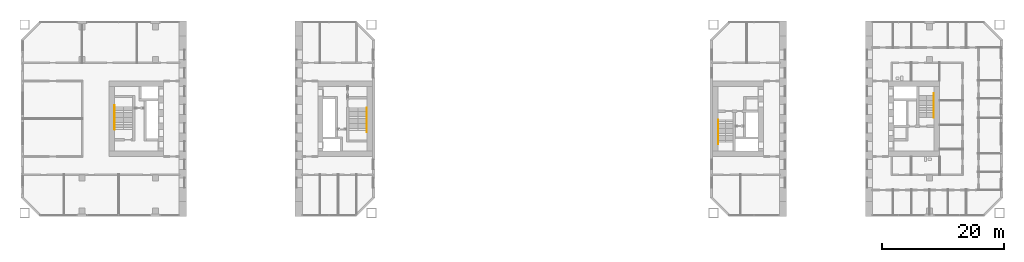
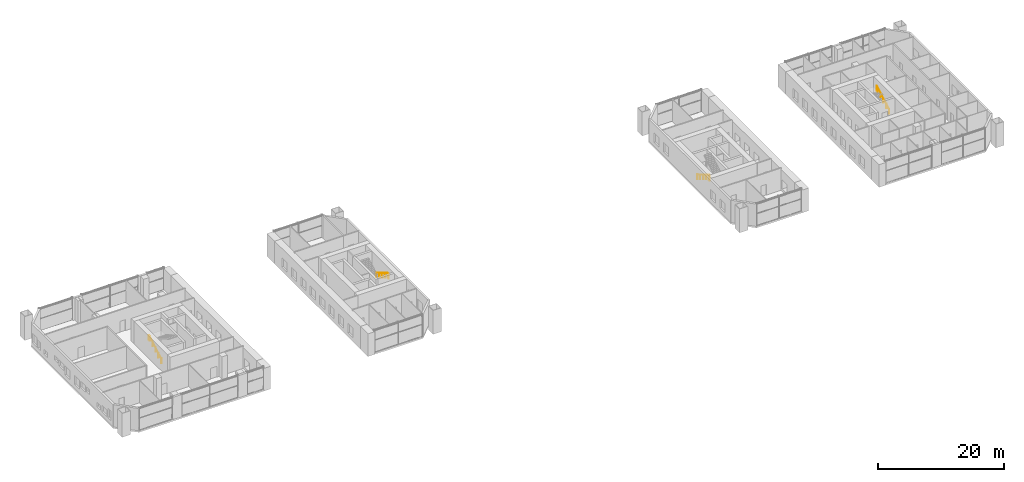
# One storey, part 18 of 19: 4 railings.
"""IFC4 building model written with IfcOpenShell, lengths in metres."""

import ifcopenshell
import ifcopenshell.guid

model = None  # the IFC model being written
_history = None  # IfcOwnerHistory: only IFC2X3 demands one
_inside = {}  # id of a spatial element -> (the spatial element, [elements in it])
_under = {}  # id of a project, library or spatial element -> (it, [spatial elements below it])
_declared = {}  # id of a project -> (the project, [libraries it declares])
_typed = {}  # id of a type object -> (the type object, [elements of that type])
_made_of = {}  # id of a material, layer set ... -> (it, [elements and type objects made of it])


def new_model(schema):
    """Start an empty IFC model of exactly this schema.

    Asked for "IFC4X3", IfcOpenShell would pick the latest addendum, in which some entities
    have other attributes; the version numbers below select the first issue.
    IFC2X3 requires an IfcOwnerHistory on every rooted entity: one is made here for all.
    """
    global model, _history
    if schema == "IFC4X3":
        model = ifcopenshell.file(schema_version=(4, 3, 0, 0))
    else:
        model = ifcopenshell.file(schema=schema)
    _inside.clear()
    _under.clear()
    _declared.clear()
    _typed.clear()
    _made_of.clear()
    _history = None
    if model.schema == "IFC2X3":
        org = make("IfcOrganization", Name="unknown")
        user = make(
            "IfcPersonAndOrganization",
            ThePerson=make("IfcPerson", FamilyName="unknown"),
            TheOrganization=org,
        )
        app = make(
            "IfcApplication",
            ApplicationDeveloper=org,
            Version="unknown",
            ApplicationFullName="unknown",
            ApplicationIdentifier="unknown",
        )
        _history = make(
            "IfcOwnerHistory",
            OwningUser=user,
            OwningApplication=app,
            ChangeAction="ADDED",
            CreationDate=0,
        )
    return model


def make(cls, **values):
    """One entity of the class cls with the attributes given. An attribute that is None is left unset."""
    return model.create_entity(
        cls, **{name: value for name, value in values.items() if value is not None}
    )


def rooted(cls, **values):
    """An entity with a GlobalId (a new one), such as an element, a storey or a relation."""
    return make(cls, GlobalId=ifcopenshell.guid.new(), OwnerHistory=_history, **values)


def si_unit(unit_type, name, prefix=None):
    """IfcSIUnit, for example si_unit("LENGTHUNIT", "METRE", prefix="MILLI")."""
    return make("IfcSIUnit", UnitType=unit_type, Prefix=prefix, Name=name)


def assignment(units):
    """IfcUnitAssignment: the units of a project."""
    return None if units is None else make("IfcUnitAssignment", Units=units)


def point(xyz):
    """IfcCartesianPoint."""
    return None if xyz is None else make("IfcCartesianPoint", Coordinates=xyz)


def direction(xyz):
    """IfcDirection."""
    return None if xyz is None else make("IfcDirection", DirectionRatios=xyz)


def frame(location, z_axis=None, x_axis=None):
    """IfcAxis2Placement3D, a coordinate frame: its origin and axes. An axis left out is left unset."""
    return make(
        "IfcAxis2Placement3D",
        Location=point(location),
        Axis=direction(z_axis),
        RefDirection=direction(x_axis),
    )


def frame_2d(location, x_axis=None):
    """IfcAxis2Placement2D, a coordinate frame in the plane: its origin and x axis."""
    return make(
        "IfcAxis2Placement2D", Location=point(location), RefDirection=direction(x_axis)
    )


def origin():
    """The frame at (0, 0, 0) with its axes left unset."""
    return frame((0.0, 0.0, 0.0))


def origin_2d():
    """The frame at (0, 0) in the plane with its x axis left unset."""
    return frame_2d((0.0, 0.0))


def place(relative_to, where):
    """IfcLocalPlacement: puts the frame where relative to a parent placement (None: the world)."""
    return make(
        "IfcLocalPlacement", PlacementRelTo=relative_to, RelativePlacement=where
    )


def context(
    kind, dimensions, precision=None, world=None, true_north=None, identifier=None
):
    """IfcGeometricRepresentationContext, for example the 3D "Model" context."""
    return make(
        "IfcGeometricRepresentationContext",
        ContextIdentifier=identifier,
        ContextType=kind,
        CoordinateSpaceDimension=dimensions,
        Precision=precision,
        WorldCoordinateSystem=world,
        TrueNorth=true_north,
    )


def subcontext(parent, identifier, kind, view, scale=None):
    """IfcGeometricRepresentationSubContext, for example "Body" below "Model"."""
    return make(
        "IfcGeometricRepresentationSubContext",
        ContextIdentifier=identifier,
        ContextType=kind,
        ParentContext=parent,
        TargetScale=scale,
        TargetView=view,
    )


def project(units=None, contexts=None):
    """IfcProject with its units and contexts."""
    return rooted(
        "IfcProject",
        Name="project",
        RepresentationContexts=contexts,
        UnitsInContext=assignment(units),
    )


def spatial(cls, under=None, at=None, **own):
    """A site, building, storey or space (cls), placed at a placement, below another one or the project."""
    s = rooted(cls, ObjectPlacement=at, **own)
    if under is not None:
        _under.setdefault(under.id(), (under, []))[1].append(s)
    return s


def profile(cls, at=None, kind="AREA", **sizes):
    """A parametric profile (cls). Its sizes go by their IFC names, for example OverallWidth=200.0."""
    return make(cls, ProfileType=kind, Position=at, **sizes)


def circle(**sizes):
    """IfcCircleProfileDef."""
    return profile("IfcCircleProfileDef", **sizes)


def extrude(swept, where, along, depth):
    """IfcExtrudedAreaSolid: the profile swept, set in the frame where, extruded along a direction by depth."""
    return make(
        "IfcExtrudedAreaSolid",
        SweptArea=swept,
        Position=where,
        ExtrudedDirection=direction(along),
        Depth=depth,
    )


def shape(context_of_items, identifier, shape_type, items):
    """IfcShapeRepresentation: the items that make up one representation, for example the "Body"."""
    return make(
        "IfcShapeRepresentation",
        ContextOfItems=context_of_items,
        RepresentationIdentifier=identifier,
        RepresentationType=shape_type,
        Items=items,
    )


def material(Name=None, Category=None):
    """IfcMaterial."""
    return make("IfcMaterial", Name=Name, Category=Category)


def made_of(thing, what):
    """Note that an element or type object is made of a material, layer set ...; save() writes the relation."""
    if what is not None:
        _made_of.setdefault(what.id(), (what, []))[1].append(thing)
    return thing


def type_object(cls, material=None, **own):
    """A type object (cls), such as IfcWallType, which elements share."""
    return made_of(rooted(cls, **own), material)


def element(
    cls,
    number,
    at=None,
    inside=None,
    cuts=None,
    type_object=None,
    material=None,
    context=None,
    identifier="Body",
    shape_type=None,
    held_by="IfcProductDefinitionShape",
    body=None,
    shapes=None,
    **own,
):
    """One element of the class cls, such as IfcWall. Its Tag is "e" and its number.

    at: its placement. inside: the storey or other place that contains it. cuts: it is an
    opening in that element (IfcRelVoidsElement). A single representation is given by context,
    identifier, shape_type and body (its items); several are given by shapes. held_by: the class
    of the entity that holds the representations. save() writes the other relations.
    """
    e = rooted(cls, Tag="e%d" % number, ObjectPlacement=at, **own)
    if body is not None:
        shapes = [shape(context, identifier, shape_type, body)]
    if shapes is not None:
        e.Representation = make(held_by, Representations=shapes)
    if inside is not None:
        _inside.setdefault(inside.id(), (inside, []))[1].append(e)
    if cuts is not None:
        rooted(
            "IfcRelVoidsElement", RelatingBuildingElement=cuts, RelatedOpeningElement=e
        )
    if type_object is not None:
        _typed.setdefault(type_object.id(), (type_object, []))[1].append(e)
    return made_of(e, material)


def aggregate(whole, parts):
    """IfcRelAggregates: a whole, such as a stair, and the parts it consists of."""
    return rooted("IfcRelAggregates", RelatingObject=whole, RelatedObjects=parts)


def save(model, path):
    """Write the relations noted so far, then the file.

    IfcRelAggregates (storeys below a building ...), IfcRelContainedInSpatialStructure (elements
    in a storey), IfcRelDefinesByType, IfcRelAssociatesMaterial and IfcRelDeclares: one each for
    every whole, place, type object, material and project.
    """
    for whole, parts in _under.values():
        aggregate(whole, parts)
    for where, things in _inside.values():
        rooted(
            "IfcRelContainedInSpatialStructure",
            RelatedElements=things,
            RelatingStructure=where,
        )
    for kind, things in _typed.values():
        rooted("IfcRelDefinesByType", RelatedObjects=things, RelatingType=kind)
    for what, things in _made_of.values():
        rooted("IfcRelAssociatesMaterial", RelatedObjects=things, RelatingMaterial=what)
    for by, libraries in _declared.values():
        rooted("IfcRelDeclares", RelatingContext=by, RelatedDefinitions=libraries)
    model.write(path)


model = new_model("IFC4")

# Units and contexts
model_context = context("Model", 3, precision=1e-05, world=origin(), true_north=direction((0.0, 1.0)))
body_context = subcontext(model_context, "Body", "Model", "MODEL_VIEW")
ifc_project = project(units=[si_unit("LENGTHUNIT", "METRE"), si_unit("AREAUNIT", "SQUARE_METRE"), si_unit("VOLUMEUNIT", "CUBIC_METRE"), si_unit("PLANEANGLEUNIT", "RADIAN"), si_unit("MASSUNIT", "GRAM", prefix="KILO")], contexts=[model_context])

# Site, building, storey
site_placement = place(None, origin())
site = spatial("IfcSite", under=ifc_project, at=site_placement, CompositionType="ELEMENT")
building_placement = place(site_placement, origin())
building = spatial("IfcBuilding", under=site, at=building_placement, Name="Tuart Gate Housing", CompositionType="ELEMENT")
storey_placement = place(building_placement, frame((0.0, 0.0, 10.10009765625)))
storey = spatial("IfcBuildingStorey", under=building, at=storey_placement, Name="L02", CompositionType="ELEMENT", Elevation=10.10009765625)

# Railings
ifc_material = material(Name="Stainless steel", Category="steel")
railing_type = type_object("IfcRailingType", Name="Stair handrail 900", PredefinedType="HANDRAIL", material=ifc_material)
railing_1_placement = place(storey_placement, frame((74.679931640625, 71.75, 0.164306640625)))
element("IfcRailing", 1, at=railing_1_placement, inside=storey, type_object=railing_type, Name="Stair handrail SA1.1", PredefinedType="HANDRAIL", context=body_context, shape_type="SweptSolid", body=[
    extrude(circle(Radius=0.02392578125, at=origin_2d()), frame((0.0, 0.0, 0.8759765625), z_axis=(0.0, -0.862515142463, 0.50603125301), x_axis=(1.0, 0.0, 0.0)), (0.0, 0.0, 1.0), 4.219970703125),
    extrude(circle(Radius=0.02392578125, at=origin_2d()), frame((0.0, -3.639892578125, 3.01123046875), z_axis=(0.0, -1.0, 0.0), x_axis=(1.0, 0.0, 0.0)), (0.0, 0.0, 1.0), 0.300048828125),
    extrude(circle(Radius=0.02099609375, at=origin_2d()), origin(), (0.0, 0.0, 1.0), 0.851806640625),
    extrude(circle(Radius=0.02099609375, at=origin_2d()), frame((0.0, -0.909912109375, 0.533935546875)), (0.0, 0.0, 1.0), 0.851806640625),
    extrude(circle(Radius=0.02099609375, at=origin_2d()), frame((0.0, -1.81982421875, 1.06787109375)), (0.0, 0.0, 1.0), 0.851806640625),
    extrude(circle(Radius=0.02099609375, at=origin_2d()), frame((0.0, -2.72998046875, 1.6015625)), (0.0, 0.0, 1.0), 0.851806640625),
    extrude(circle(Radius=0.02099609375, at=origin_2d()), frame((0.0, -3.639892578125, 2.135498046875)), (0.0, 0.0, 1.0), 0.851806640625),
    extrude(circle(Radius=0.02099609375, at=origin_2d()), frame((0.0, -3.93994140625, 2.135498046875)), (0.0, 0.0, 1.0), 0.851806640625),
])
railing_2_placement = place(storey_placement, frame((33.320068359375, 68.25, 0.164306640625)))
element("IfcRailing", 2, at=railing_2_placement, inside=storey, type_object=railing_type, Name="Stair handrail SA2.1", PredefinedType="HANDRAIL", context=body_context, shape_type="SweptSolid", body=[
    extrude(circle(Radius=0.02392578125, at=origin_2d()), frame((0.0, 0.0, 0.8759765625), z_axis=(0.0, 0.862515142463, 0.50603125301), x_axis=(-1.0, 0.0, 0.0)), (0.0, 0.0, 1.0), 4.219970703125),
    extrude(circle(Radius=0.02392578125, at=origin_2d()), frame((0.0, 3.639892578125, 3.01123046875), z_axis=(0.0, 1.0, 0.0), x_axis=(-1.0, 0.0, 0.0)), (0.0, 0.0, 1.0), 0.300048828125),
    extrude(circle(Radius=0.02099609375, at=origin_2d()), origin(), (0.0, 0.0, 1.0), 0.851806640625),
    extrude(circle(Radius=0.02099609375, at=origin_2d()), frame((0.0, 0.909912109375, 0.533935546875)), (0.0, 0.0, 1.0), 0.851806640625),
    extrude(circle(Radius=0.02099609375, at=origin_2d()), frame((0.0, 1.81982421875, 1.06787109375)), (0.0, 0.0, 1.0), 0.851806640625),
    extrude(circle(Radius=0.02099609375, at=origin_2d()), frame((0.0, 2.72998046875, 1.6015625)), (0.0, 0.0, 1.0), 0.851806640625),
    extrude(circle(Radius=0.02099609375, at=origin_2d()), frame((0.0, 3.639892578125, 2.135498046875)), (0.0, 0.0, 1.0), 0.851806640625),
    extrude(circle(Radius=0.02099609375, at=origin_2d()), frame((0.0, 3.93994140625, 2.135498046875)), (0.0, 0.0, 1.0), 0.851806640625),
])
railing_3_placement = place(storey_placement, frame((132.320068359375, 69.800048828125, 0.164306640625)))
element("IfcRailing", 3, at=railing_3_placement, inside=storey, type_object=railing_type, Name="Stair handrail SB1.1", PredefinedType="HANDRAIL", context=body_context, shape_type="SweptSolid", body=[
    extrude(circle(Radius=0.02392578125, at=origin_2d()), frame((0.0, 0.0, 0.8759765625), z_axis=(0.0, -0.862529955373, 0.506006004), x_axis=(1.0, 0.0, 0.0)), (0.0, 0.0, 1.0), 4.22021484375),
    extrude(circle(Radius=0.02392578125, at=origin_2d()), frame((0.0, -3.64013671875, 3.01123046875), z_axis=(0.0, -1.0, 0.0), x_axis=(1.0, 0.0, 0.0)), (0.0, 0.0, 1.0), 0.2998046875),
    extrude(circle(Radius=0.02099609375, at=origin_2d()), origin(), (0.0, 0.0, 1.0), 0.851806640625),
    extrude(circle(Radius=0.02099609375, at=origin_2d()), frame((0.0, -0.91015625, 0.533935546875)), (0.0, 0.0, 1.0), 0.851806640625),
    extrude(circle(Radius=0.02099609375, at=origin_2d()), frame((0.0, -1.820068359375, 1.06787109375)), (0.0, 0.0, 1.0), 0.851806640625),
    extrude(circle(Radius=0.02099609375, at=origin_2d()), frame((0.0, -2.72998046875, 1.6015625)), (0.0, 0.0, 1.0), 0.851806640625),
    extrude(circle(Radius=0.02099609375, at=origin_2d()), frame((0.0, -3.64013671875, 2.135498046875)), (0.0, 0.0, 1.0), 0.851806640625),
    extrude(circle(Radius=0.02099609375, at=origin_2d()), frame((0.0, -3.93994140625, 2.135498046875)), (0.0, 0.0, 1.0), 0.851806640625),
])
railing_4_placement = place(storey_placement, frame((167.679931640625, 70.199951171875, 0.164306640625)))
element("IfcRailing", 4, at=railing_4_placement, inside=storey, type_object=railing_type, Name="Stair handrail SB2.1", PredefinedType="HANDRAIL", context=body_context, shape_type="SweptSolid", body=[
    extrude(circle(Radius=0.02392578125, at=origin_2d()), frame((0.0, 0.0, 0.8759765625), z_axis=(0.0, 0.862529955373, 0.506006004), x_axis=(-1.0, 0.0, 0.0)), (0.0, 0.0, 1.0), 4.22021484375),
    extrude(circle(Radius=0.02392578125, at=origin_2d()), frame((0.0, 3.64013671875, 3.01123046875), z_axis=(0.0, 1.0, 0.0), x_axis=(-1.0, 0.0, 0.0)), (0.0, 0.0, 1.0), 0.2998046875),
    extrude(circle(Radius=0.02099609375, at=origin_2d()), origin(), (0.0, 0.0, 1.0), 0.851806640625),
    extrude(circle(Radius=0.02099609375, at=origin_2d()), frame((0.0, 0.91015625, 0.533935546875)), (0.0, 0.0, 1.0), 0.851806640625),
    extrude(circle(Radius=0.02099609375, at=origin_2d()), frame((0.0, 1.820068359375, 1.06787109375)), (0.0, 0.0, 1.0), 0.851806640625),
    extrude(circle(Radius=0.02099609375, at=origin_2d()), frame((0.0, 2.72998046875, 1.6015625)), (0.0, 0.0, 1.0), 0.851806640625),
    extrude(circle(Radius=0.02099609375, at=origin_2d()), frame((0.0, 3.64013671875, 2.135498046875)), (0.0, 0.0, 1.0), 0.851806640625),
    extrude(circle(Radius=0.02099609375, at=origin_2d()), frame((0.0, 3.93994140625, 2.135498046875)), (0.0, 0.0, 1.0), 0.851806640625),
])

save(model, "model.ifc")
